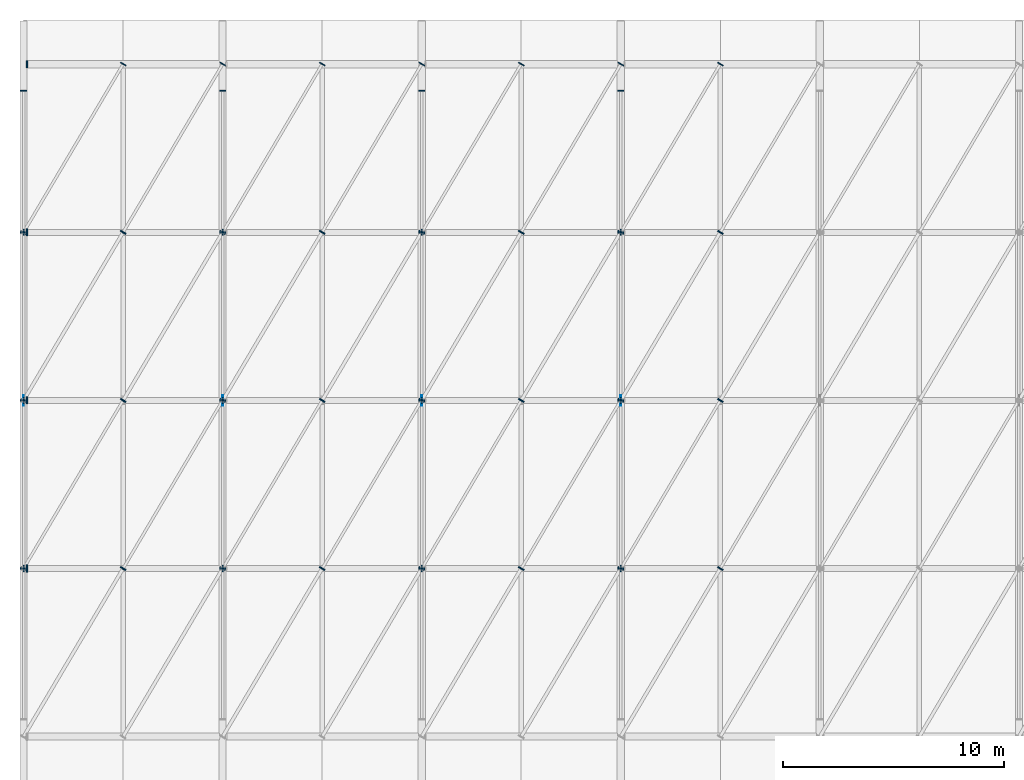
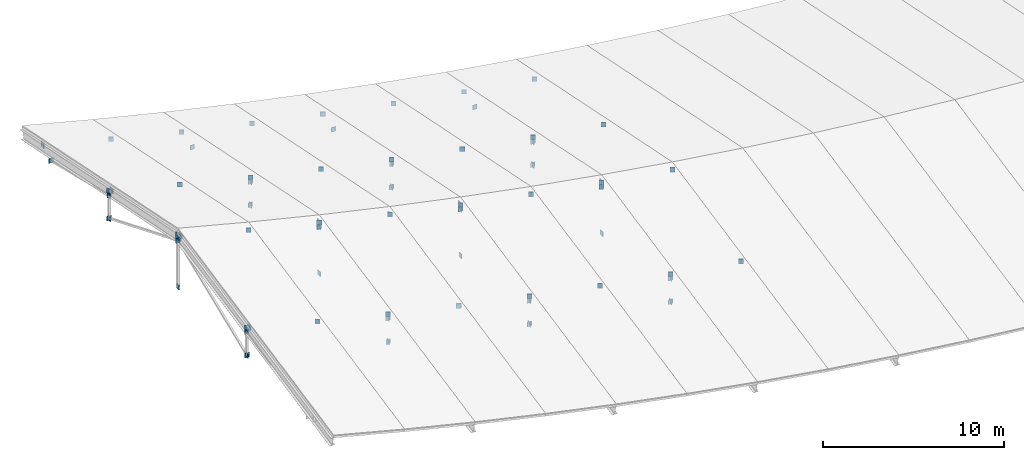
# One storey, part 17 of 21: 112 plates.
"""IFC4 building model written with IfcOpenShell, lengths in metres."""

from ifc_helpers import new_model, si_unit, direction, frame, origin, origin_2d, place, context, subcontext, project, spatial, rectangle, extrude, material, layer, layer_set, type_object, element, save


model = new_model("IFC4")

# Units and contexts
model_context = context("Model", 3, precision=1e-05, world=origin(), true_north=direction((0.0, 1.0)))
body_context = subcontext(model_context, "Body", "Model", "MODEL_VIEW")
ifc_project = project(units=[si_unit("LENGTHUNIT", "METRE"), si_unit("AREAUNIT", "SQUARE_METRE"), si_unit("VOLUMEUNIT", "CUBIC_METRE"), si_unit("PLANEANGLEUNIT", "RADIAN"), si_unit("MASSUNIT", "GRAM", prefix="KILO")], contexts=[model_context])

# Site, building, storey
site_placement = place(None, origin())
site = spatial("IfcSite", under=ifc_project, at=site_placement, CompositionType="ELEMENT")
building_placement = place(site_placement, origin())
building = spatial("IfcBuilding", under=site, at=building_placement, Name="Caisbarro Railhouse Central Library", CompositionType="ELEMENT")
storey_placement = place(building_placement, frame((0.0, 0.0, 26.639892578125)))
storey = spatial("IfcBuildingStorey", under=building, at=storey_placement, Name="RF", CompositionType="ELEMENT", Elevation=26.639892578125)

# Plates
ifc_material = material(Name="Steel ASTM A572 Grade 50", Category="steel")
ifc_layer_1 = layer(ifc_material, 0.044921875, Name="Steel ASTM A572 Grade 50")
ifc_layer_set_1 = layer_set([ifc_layer_1], Name="Steel ASTM A572 Grade 50")
plate_type_1 = type_object("IfcPlateType", Name="PLT-EP01", PredefinedType="SHEET", material=ifc_layer_set_1)
for number, where, z_axis, x_axis, name in (
    (1, (0.0, 38.0, -1.169921875), (0.0, 0.0, 1.0), (1.0, 0.0, 0.0), "EP01 end cap plate"),
    (2, (0.0, 38.0, 0.4189453125), (0.0, 0.0, 1.0), (1.0, 0.0, 0.0), "EP01 end cap plate"),
    (3, (0.0, 45.60009765625, -1.169921875), (0.0, 0.0, 1.0), (1.0, 0.0, 0.0), "EP01 end cap plate"),
    (4, (0.0, 45.60009765625, 1.96923828125), (0.0, 0.0, 1.0), (1.0, 0.0, 0.0), "EP01 end cap plate"),
    (5, (0.0, 53.199951171875, -1.169921875), (0.0, 0.0, 1.0), (1.0, 0.0, 0.0), "EP01 end cap plate"),
    (6, (0.0, 53.199951171875, 0.4189453125), (0.0, 0.0, 1.0), (1.0, 0.0, 0.0), "EP01 end cap plate"),
    (7, (0.0, 38.01171875, 0.40966796875), (0.0, 0.0, 1.0), (0.0, 1.0, 0.0), "EP01 end cap plate"),
    (8, (0.0, 37.989013671875, -1.16259765625), (0.0, 0.0, 1.0), (0.0, 1.0, 0.0), "EP01 end cap plate"),
    (9, (0.0, 45.611083984375, 1.96142578125), (0.0, 0.0, 1.0), (0.0, 1.0, 0.0), "EP01 end cap plate"),
    (10, (0.0, 59.611572265625, -1.16064453125), (0.0, 0.0, 1.0), (0.0, -1.0, 0.0), "EP01 end cap plate"),
    (11, (0.0, 53.188232421875, 0.41015625), (0.0, 0.0, 1.0), (0.0, -1.0, 0.0), "EP01 end cap plate"),
    (12, (0.0, 53.211181640625, -1.16259765625), (0.0, 0.0, 1.0), (0.0, -1.0, 0.0), "EP01 end cap plate"),
    (13, (0.0, 45.5888671875, 1.96142578125), (0.0, 0.0, 1.0), (0.0, -1.0, 0.0), "EP01 end cap plate"),
    (14, (9.0, 38.0, -3.419921875), (0.0, 0.0, 1.0), (1.0, 0.0, 0.0), "EP01 end cap plate"),
    (15, (9.0, 38.0, -1.8310546875), (0.0, 0.0, 1.0), (1.0, 0.0, 0.0), "EP01 end cap plate"),
    (16, (9.0, 45.60009765625, -3.419921875), (0.0, 0.0, 1.0), (1.0, 0.0, 0.0), "EP01 end cap plate"),
    (17, (9.0, 45.60009765625, -0.28076171875), (0.0, 0.0, 1.0), (1.0, 0.0, 0.0), "EP01 end cap plate"),
    (18, (9.0, 53.199951171875, -3.419921875), (0.0, 0.0, 1.0), (1.0, 0.0, 0.0), "EP01 end cap plate"),
    (19, (9.0, 53.199951171875, -1.8310546875), (0.0, 0.0, 1.0), (1.0, 0.0, 0.0), "EP01 end cap plate"),
    (20, (9.0, 38.01171875, -1.84033203125), (0.0, 0.0, 1.0), (0.0, 1.0, 0.0), "EP01 end cap plate"),
    (21, (9.0, 37.989013671875, -3.41259765625), (0.0, 0.0, 1.0), (0.0, 1.0, 0.0), "EP01 end cap plate"),
    (22, (9.0, 45.611083984375, -0.28857421875), (0.0, 0.0, 1.0), (0.0, 1.0, 0.0), "EP01 end cap plate"),
    (23, (9.0, 59.611572265625, -3.41064453125), (0.0, 0.0, 1.0), (0.0, -1.0, 0.0), "EP01 end cap plate"),
    (24, (9.0, 53.188232421875, -1.83984375), (0.0, 0.0, 1.0), (0.0, -1.0, 0.0), "EP01 end cap plate"),
    (25, (9.0, 53.211181640625, -3.41259765625), (0.0, 0.0, 1.0), (0.0, -1.0, 0.0), "EP01 end cap plate"),
    (26, (9.0, 45.5888671875, -0.28857421875), (0.0, 0.0, 1.0), (0.0, -1.0, 0.0), "EP01 end cap plate"),
    (27, (18.0, 38.0, -5.3701171875), (0.0, 0.0, 1.0), (1.0, 0.0, 0.0), "EP01 end cap plate"),
    (28, (18.0, 38.0, -3.78076171875), (0.0, 0.0, 1.0), (1.0, 0.0, 0.0), "EP01 end cap plate"),
    (29, (18.0, 45.60009765625, -5.3701171875), (0.0, 0.0, 1.0), (1.0, 0.0, 0.0), "EP01 end cap plate"),
    (30, (18.0, 45.60009765625, -2.23095703125), (0.0, 0.0, 1.0), (1.0, 0.0, 0.0), "EP01 end cap plate"),
    (31, (18.0, 53.199951171875, -5.3701171875), (0.0, 0.0, 1.0), (1.0, 0.0, 0.0), "EP01 end cap plate"),
    (32, (18.0, 53.199951171875, -3.78076171875), (0.0, 0.0, 1.0), (1.0, 0.0, 0.0), "EP01 end cap plate"),
    (33, (18.0, 38.01171875, -3.7900390625), (0.0, 0.0, 1.0), (0.0, 1.0, 0.0), "EP01 end cap plate"),
    (34, (18.0, 37.989013671875, -5.3623046875), (0.0, 0.0, 1.0), (0.0, 1.0, 0.0), "EP01 end cap plate"),
    (35, (18.0, 45.611083984375, -2.23828125), (0.0, 0.0, 1.0), (0.0, 1.0, 0.0), "EP01 end cap plate"),
    (36, (18.0, 59.611572265625, -5.36083984375), (0.0, 0.0, 1.0), (0.0, -1.0, 0.0), "EP01 end cap plate"),
    (37, (18.0, 53.188232421875, -3.7900390625), (0.0, 0.0, 1.0), (0.0, -1.0, 0.0), "EP01 end cap plate"),
    (38, (18.0, 53.211181640625, -5.3623046875), (0.0, 0.0, 1.0), (0.0, -1.0, 0.0), "EP01 end cap plate"),
    (39, (18.0, 45.5888671875, -2.23828125), (0.0, 0.0, 1.0), (0.0, -1.0, 0.0), "EP01 end cap plate"),
    (40, (27.0, 38.0, -7.02001953125), (0.0, 0.0, 1.0), (1.0, 0.0, 0.0), "EP01 end cap plate"),
    (41, (27.0, 38.0, -5.43115234375), (0.0, 0.0, 1.0), (1.0, 0.0, 0.0), "EP01 end cap plate"),
    (42, (27.0, 45.60009765625, -7.02001953125), (0.0, 0.0, 1.0), (1.0, 0.0, 0.0), "EP01 end cap plate"),
    (43, (27.0, 45.60009765625, -3.880859375), (0.0, 0.0, 1.0), (1.0, 0.0, 0.0), "EP01 end cap plate"),
    (44, (27.0, 53.199951171875, -7.02001953125), (0.0, 0.0, 1.0), (1.0, 0.0, 0.0), "EP01 end cap plate"),
    (45, (27.0, 53.199951171875, -5.43115234375), (0.0, 0.0, 1.0), (1.0, 0.0, 0.0), "EP01 end cap plate"),
    (46, (27.0, 38.01171875, -5.4404296875), (0.0, 0.0, 1.0), (0.0, 1.0, 0.0), "EP01 end cap plate"),
    (47, (27.0, 37.989013671875, -7.0126953125), (0.0, 0.0, 1.0), (0.0, 1.0, 0.0), "EP01 end cap plate"),
    (48, (27.0, 45.611083984375, -3.88818359375), (0.0, 0.0, 1.0), (0.0, 1.0, 0.0), "EP01 end cap plate"),
    (49, (27.0, 59.611572265625, -7.0107421875), (0.0, 0.0, 1.0), (0.0, -1.0, 0.0), "EP01 end cap plate"),
    (50, (27.0, 53.188232421875, -5.43994140625), (0.0, 0.0, 1.0), (0.0, -1.0, 0.0), "EP01 end cap plate"),
    (51, (27.0, 53.211181640625, -7.0126953125), (0.0, 0.0, 1.0), (0.0, -1.0, 0.0), "EP01 end cap plate"),
    (52, (27.0, 45.5888671875, -3.88818359375), (0.0, 0.0, 1.0), (0.0, -1.0, 0.0), "EP01 end cap plate"),
    (53, (4.506103515625, 38.01025390625, -0.4716796875), (0.0, 0.0, 1.0), (0.509492029423, 0.860475375565, 0.0), "EP01 end cap plate"),
    (54, (-0.006103515625, 37.98974609375, 0.689453125), (0.0, 0.0, 1.0), (0.509492029423, 0.860475375565, 0.0), "EP01 end cap plate"),
    (55, (4.506103515625, 45.6103515625, 1.078125), (0.0, 0.0, 1.0), (0.509492029423, 0.860475375565, 0.0), "EP01 end cap plate"),
    (56, (-0.005859375, 45.590087890625, 2.24365234375), (0.0, 0.0, 1.0), (0.509492029423, 0.860475375565, 0.0), "EP01 end cap plate"),
    (57, (4.505859375, 53.2099609375, -0.47607421875), (0.0, 0.0, 1.0), (0.509492029423, 0.860475375565, 0.0), "EP01 end cap plate"),
    (58, (-0.005859375, 53.190185546875, 0.69384765625), (0.0, 0.0, 1.0), (0.509492029423, 0.860475375565, 0.0), "EP01 end cap plate"),
    (59, (4.505859375, 60.809814453125, -2.02587890625), (0.0, 0.0, 1.0), (0.509492029423, 0.860475375565, 0.0), "EP01 end cap plate"),
    (60, (9.006103515625, 38.01025390625, -1.55908203125), (0.0, 0.0, 1.0), (0.509492029423, 0.860475375565, 0.0), "EP01 end cap plate"),
    (61, (4.493896484375, 37.98974609375, -0.47314453125), (0.0, 0.0, 1.0), (0.509492029423, 0.860475375565, 0.0), "EP01 end cap plate"),
    (62, (9.006103515625, 45.6103515625, -0.00927734375), (0.0, 0.0, 1.0), (0.509492029423, 0.860475375565, 0.0), "EP01 end cap plate"),
    (63, (4.494140625, 45.590087890625, 1.0810546875), (0.0, 0.0, 1.0), (0.509492029423, 0.860475375565, 0.0), "EP01 end cap plate"),
    (64, (9.005859375, 53.2099609375, -1.5634765625), (0.0, 0.0, 1.0), (0.509492029423, 0.860475375565, 0.0), "EP01 end cap plate"),
    (65, (4.494140625, 53.190185546875, -0.46875), (0.0, 0.0, 1.0), (0.509492029423, 0.860475375565, 0.0), "EP01 end cap plate"),
    (66, (9.005859375, 60.809814453125, -3.11328125), (0.0, 0.0, 1.0), (0.509492029423, 0.860475375565, 0.0), "EP01 end cap plate"),
    (67, (13.506103515625, 38.01025390625, -2.57177734375), (0.0, 0.0, 1.0), (0.509492029423, 0.860475375565, 0.0), "EP01 end cap plate"),
    (68, (8.993896484375, 37.98974609375, -1.560546875), (0.0, 0.0, 1.0), (0.509492029423, 0.860475375565, 0.0), "EP01 end cap plate"),
    (69, (13.506103515625, 45.6103515625, -1.021484375), (0.0, 0.0, 1.0), (0.509492029423, 0.860475375565, 0.0), "EP01 end cap plate"),
    (70, (8.994140625, 45.590087890625, -0.00634765625), (0.0, 0.0, 1.0), (0.509492029423, 0.860475375565, 0.0), "EP01 end cap plate"),
    (71, (13.505859375, 53.2099609375, -2.57568359375), (0.0, 0.0, 1.0), (0.509492029423, 0.860475375565, 0.0), "EP01 end cap plate"),
    (72, (8.994140625, 53.190185546875, -1.556640625), (0.0, 0.0, 1.0), (0.509492029423, 0.860475375565, 0.0), "EP01 end cap plate"),
    (73, (13.505859375, 60.809814453125, -4.1259765625), (0.0, 0.0, 1.0), (0.509492029423, 0.860475375565, 0.0), "EP01 end cap plate"),
    (74, (18.006103515625, 38.01025390625, -3.50927734375), (0.0, 0.0, 1.0), (0.509492029423, 0.860475375565, 0.0), "EP01 end cap plate"),
    (75, (13.493896484375, 37.98974609375, -2.5732421875), (0.0, 0.0, 1.0), (0.509492029423, 0.860475375565, 0.0), "EP01 end cap plate"),
    (76, (18.006103515625, 45.6103515625, -1.958984375), (0.0, 0.0, 1.0), (0.509492029423, 0.860475375565, 0.0), "EP01 end cap plate"),
    (77, (13.494140625, 45.590087890625, -1.01904296875), (0.0, 0.0, 1.0), (0.509492029423, 0.860475375565, 0.0), "EP01 end cap plate"),
    (78, (18.005859375, 53.2099609375, -3.51318359375), (0.0, 0.0, 1.0), (0.509492029423, 0.860475375565, 0.0), "EP01 end cap plate"),
    (79, (13.494140625, 53.18994140625, -2.5693359375), (0.0, 0.0, 1.0), (0.509492029423, 0.860475375565, 0.0), "EP01 end cap plate"),
    (80, (18.005859375, 60.81005859375, -5.06298828125), (0.0, 0.0, 1.0), (0.509492029423, 0.860475375565, 0.0), "EP01 end cap plate"),
    (81, (22.506103515625, 38.01025390625, -4.37158203125), (0.0, 0.0, 1.0), (0.509492029423, 0.860475375565, 0.0), "EP01 end cap plate"),
    (82, (17.993896484375, 37.98974609375, -3.5107421875), (0.0, 0.0, 1.0), (0.509492029423, 0.860475375565, 0.0), "EP01 end cap plate"),
    (83, (22.506103515625, 45.6103515625, -2.8212890625), (0.0, 0.0, 1.0), (0.509492029423, 0.860475375565, 0.0), "EP01 end cap plate"),
    (84, (17.994140625, 45.590087890625, -1.95654296875), (0.0, 0.0, 1.0), (0.509492029423, 0.860475375565, 0.0), "EP01 end cap plate"),
    (85, (22.505859375, 53.2099609375, -4.37548828125), (0.0, 0.0, 1.0), (0.509492029423, 0.860475375565, 0.0), "EP01 end cap plate"),
    (86, (17.994140625, 53.18994140625, -3.5068359375), (0.0, 0.0, 1.0), (0.509492029423, 0.860475375565, 0.0), "EP01 end cap plate"),
    (87, (22.505859375, 60.81005859375, -5.92578125), (0.0, 0.0, 1.0), (0.509492029423, 0.860475375565, 0.0), "EP01 end cap plate"),
    (88, (27.006103515625, 38.01025390625, -5.15869140625), (0.0, 0.0, 1.0), (0.509492029423, 0.860475375565, 0.0), "EP01 end cap plate"),
    (89, (22.493896484375, 37.98974609375, -4.37353515625), (0.0, 0.0, 1.0), (0.509492029423, 0.860475375565, 0.0), "EP01 end cap plate"),
    (90, (27.006103515625, 45.6103515625, -3.60888671875), (0.0, 0.0, 1.0), (0.509492029423, 0.860475375565, 0.0), "EP01 end cap plate"),
    (91, (22.494140625, 45.590087890625, -2.8193359375), (0.0, 0.0, 1.0), (0.509492029423, 0.860475375565, 0.0), "EP01 end cap plate"),
    (92, (27.005859375, 53.2099609375, -5.1630859375), (0.0, 0.0, 1.0), (0.509492029423, 0.860475375565, 0.0), "EP01 end cap plate"),
    (93, (22.494140625, 53.18994140625, -4.369140625), (0.0, 0.0, 1.0), (0.509492029423, 0.860475375565, 0.0), "EP01 end cap plate"),
    (94, (27.005859375, 60.81005859375, -6.712890625), (0.0, 0.0, 1.0), (0.509492029423, 0.860475375565, 0.0), "EP01 end cap plate"),
    (95, (31.506103515625, 38.01025390625, -5.87109375), (0.0, 0.0, 1.0), (0.509492029423, 0.860475375565, 0.0), "EP01 end cap plate"),
    (96, (26.993896484375, 37.98974609375, -5.1611328125), (0.0, 0.0, 1.0), (0.509492029423, 0.860475375565, 0.0), "EP01 end cap plate"),
    (97, (31.506103515625, 45.6103515625, -4.3212890625), (0.0, 0.0, 1.0), (0.509492029423, 0.860475375565, 0.0), "EP01 end cap plate"),
    (98, (26.994140625, 45.590087890625, -3.60693359375), (0.0, 0.0, 1.0), (0.509492029423, 0.860475375565, 0.0), "EP01 end cap plate"),
    (99, (31.505859375, 53.2099609375, -5.87548828125), (0.0, 0.0, 1.0), (0.509492029423, 0.860475375565, 0.0), "EP01 end cap plate"),
    (100, (26.994140625, 53.18994140625, -5.15673828125), (0.0, 0.0, 1.0), (0.509492029423, 0.860475375565, 0.0), "EP01 end cap plate"),
    (101, (31.505859375, 60.81005859375, -7.42529296875), (0.0, 0.0, 1.0), (0.509492029423, 0.860475375565, 0.0), "EP01 end cap plate"),
    (102, (31.493896484375, 37.98974609375, -5.87353515625), (0.0, 0.0, 1.0), (0.509492029423, 0.860475375565, 0.0), "EP01 end cap plate"),
    (103, (31.494140625, 45.590087890625, -4.3193359375), (0.0, 0.0, 1.0), (0.509492029423, 0.860475375565, 0.0), "EP01 end cap plate"),
    (104, (31.494140625, 53.18994140625, -5.86962890625), (0.0, 0.0, 1.0), (0.509492029423, 0.860475375565, 0.0), "EP01 end cap plate"),
):
    element("IfcPlate", number, at=place(storey_placement, frame(where, z_axis=z_axis, x_axis=x_axis)), inside=storey, type_object=plate_type_1, Name=name, PredefinedType="SHEET", context=body_context, shape_type="SweptSolid", body=[
        extrude(rectangle(XDim=0.044921875, YDim=0.280029296875, at=origin_2d()), origin(), (0.0, 0.0, 1.0), 0.300048828125),
    ])
ifc_layer_2 = layer(ifc_material, 0.054931640625, Name="Steel ASTM A572 Grade 50")
ifc_layer_set_2 = layer_set([ifc_layer_2], Name="Steel ASTM A572 Grade 50")
plate_type_2 = type_object("IfcPlateType", Name="PLT-EP02", PredefinedType="SHEET", material=ifc_layer_set_2)
for number, where, z_axis, x_axis, name in (
    (105, (0.1533203125, 60.800048828125, -0.908203125), (0.0, 0.0, 1.0), (1.0, 0.0, 0.0), "EP02 end cap plate"),
    (106, (0.1533203125, 38.0, 0.6416015625), (0.0, 0.0, 1.0), (1.0, 0.0, 0.0), "EP02 end cap plate"),
    (107, (0.1533203125, 53.199951171875, 0.6416015625), (0.0, 0.0, 1.0), (1.0, 0.0, 0.0), "EP02 end cap plate"),
    (108, (0.1533203125, 45.60009765625, 2.19189453125), (0.0, 0.0, 1.0), (1.0, 0.0, 0.0), "EP02 end cap plate"),
):
    element("IfcPlate", number, at=place(storey_placement, frame(where, z_axis=z_axis, x_axis=x_axis)), inside=storey, type_object=plate_type_2, Name=name, PredefinedType="SHEET", context=body_context, shape_type="SweptSolid", body=[
        extrude(rectangle(XDim=0.054931640625, YDim=0.320068359375, at=origin_2d()), origin(), (0.0, 0.0, 1.0), 0.320068359375),
    ])
ifc_layer_3 = layer(ifc_material, 0.033935546875, Name="Steel ASTM A572 Grade 50")
ifc_layer_set_3 = layer_set([ifc_layer_3], Name="Steel ASTM A572 Grade 50")
plate_type_3 = type_object("IfcPlateType", Name="PLT-NP01", PredefinedType="SHEET", material=ifc_layer_set_3)
for number, where, z_axis, x_axis, name in (
    (109, (0.0, 45.60009765625, 2.2099609375), (0.0, 0.0, 1.0), (0.0, 1.0, 0.0), "NP01 Gridshell Crown Gusset Node 1"),
    (110, (9.0, 45.60009765625, -0.0400390625), (0.0, 0.0, 1.0), (0.0, 1.0, 0.0), "NP01 Gridshell Crown Gusset Node 2"),
    (111, (18.0, 45.60009765625, -1.98974609375), (0.0, 0.0, 1.0), (0.0, 1.0, 0.0), "NP01 Gridshell Crown Gusset Node 3"),
    (112, (27.0, 45.60009765625, -3.64013671875), (0.0, 0.0, 1.0), (0.0, 1.0, 0.0), "NP01 Gridshell Crown Gusset Node 4"),
):
    element("IfcPlate", number, at=place(storey_placement, frame(where, z_axis=z_axis, x_axis=x_axis)), inside=storey, type_object=plate_type_3, Name=name, PredefinedType="SHEET", context=body_context, shape_type="SweptSolid", body=[
        extrude(rectangle(XDim=0.47998046875, YDim=0.033935546875, at=origin_2d()), origin(), (0.0, 0.0, 1.0), 0.360107421875),
    ])

save(model, "model.ifc")
